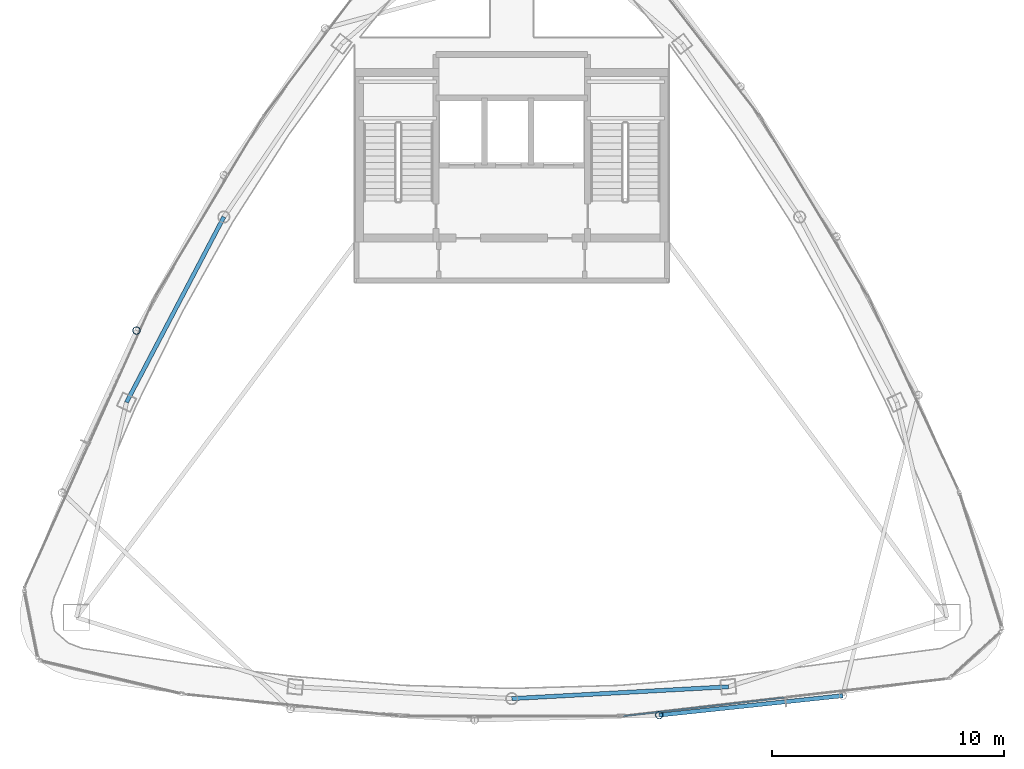
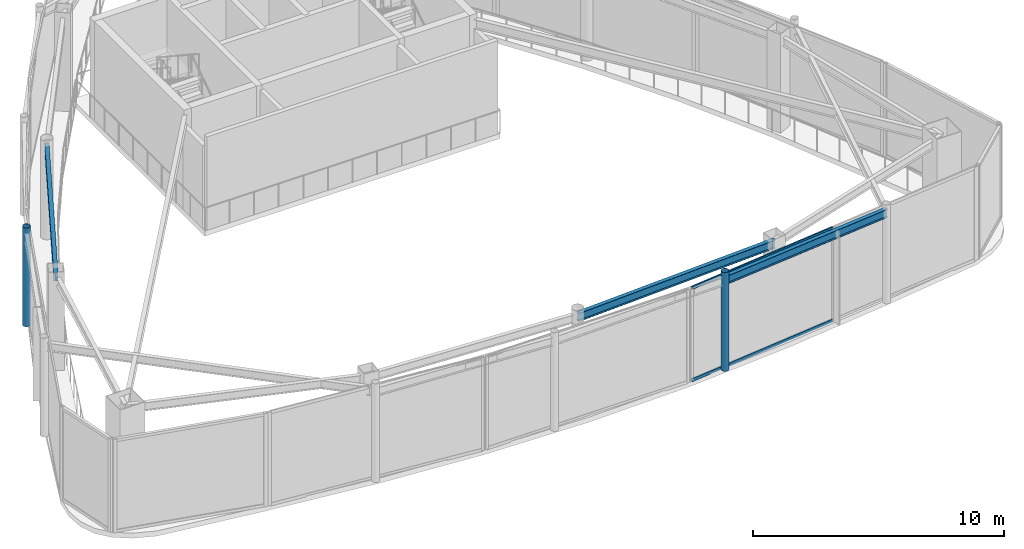
# One storey, part 7 of 19: 4 members, 3 beams, 1 element without a shape of its own.
"""IFC4 building model written with IfcOpenShell, lengths in metres."""

from ifc_helpers import new_model, si_unit, direction, frame, origin, origin_2d, place, context, subcontext, project, spatial, hollow_rectangle, hollow_circle, i_section, extrude, material, layer, layer_set, material_profile, profile_set, type_object, element, aggregate, save


model = new_model("IFC4")

# Units and contexts
model_context = context("Model", 3, precision=1e-05, world=origin(), true_north=direction((0.0, 1.0)))
body_context = subcontext(model_context, "Body", "Model", "MODEL_VIEW")
ifc_project = project(units=[si_unit("LENGTHUNIT", "METRE"), si_unit("AREAUNIT", "SQUARE_METRE"), si_unit("VOLUMEUNIT", "CUBIC_METRE"), si_unit("PLANEANGLEUNIT", "RADIAN"), si_unit("MASSUNIT", "GRAM", prefix="KILO")], contexts=[model_context])

# Site, building, storey
site_placement = place(None, origin())
site = spatial("IfcSite", under=ifc_project, at=site_placement, CompositionType="ELEMENT")
building_placement = place(site_placement, origin())
building = spatial("IfcBuilding", under=site, at=building_placement, Name="Orvanel Arch Residences", CompositionType="ELEMENT")
storey_placement = place(building_placement, frame((0.0, 0.0, 295.699951171875)))
storey = spatial("IfcBuildingStorey", under=building, at=storey_placement, Name="L83", CompositionType="ELEMENT", Elevation=295.699951171875)

# Beams
ifc_material_1 = material(Name="Structural steel AS/NZS 3679.1 Grade 300 (300 MPa)", Category="steel")
ifc_material_profile_1 = material_profile(ifc_material_1, i_section(OverallWidth=0.177978515625, OverallDepth=0.406005859375, WebThickness=0.0078125, FlangeThickness=0.0126953125, at=origin_2d()), Name="410UB59.7")
ifc_profile_set_1 = profile_set([ifc_material_profile_1], Name="Structural steel AS/NZS 3679.1 Grade 300 (300 MPa)")
beam_type_1 = type_object("IfcBeamType", Name="OB-410UB", PredefinedType="SPANDREL", material=ifc_profile_set_1)
beam_1_placement = place(storey_placement, frame((33.0, 6.843994140625, 4.34716796875), z_axis=(0.998510315598, 0.054563262768, 0.0), x_axis=(-0.054563262768, 0.998510315598, 0.0)))
element("IfcBeam", 1, at=beam_1_placement, inside=storey, type_object=beam_type_1, Name="L83 Perimeter Spandrel Beam 04", PredefinedType="SPANDREL", context=body_context, shape_type="SweptSolid", body=[
    extrude(i_section(OverallWidth=0.177978515625, OverallDepth=0.406005859375, WebThickness=0.0078125, FlangeThickness=0.0126953125, at=origin_2d()), origin(), (0.0, 0.0, 1.0), 9.364990234375),
])
beam_2_placement = place(storey_placement, frame((20.569091796875, 27.64111328125, 4.34716796875), z_axis=(-0.465064762793, -0.885276660942, 0.0), x_axis=(0.885276660942, -0.465064762793, 0.0)))
element("IfcBeam", 2, at=beam_2_placement, inside=storey, type_object=beam_type_1, Name="L83 Perimeter Spandrel Beam 12", PredefinedType="SPANDREL", context=body_context, shape_type="SweptSolid", body=[
    extrude(i_section(OverallWidth=0.177978515625, OverallDepth=0.406005859375, WebThickness=0.0078125, FlangeThickness=0.0126953125, at=origin_2d()), origin(), (0.0, 0.0, 1.0), 9.03564453125),
])
ifc_material_profile_2 = material_profile(ifc_material_1, i_section(OverallWidth=0.177978515625, OverallDepth=0.406005859375, WebThickness=0.0078125, FlangeThickness=0.0126953125, at=origin_2d()), Name="410UB59.7")
ifc_profile_set_2 = profile_set([ifc_material_profile_2], Name="Structural steel AS/NZS 3679.1 Grade 300 (300 MPa)")
beam_type_2 = type_object("IfcBeamType", Name="OB-410UB-EXT", PredefinedType="SPANDREL", material=ifc_profile_set_2)
beam_3_placement = place(storey_placement, frame((39.366943359375, 6.131103515625, 4.34716796875), z_axis=(0.994445876363, 0.1052492232, 0.0), x_axis=(-0.1052492232, 0.994445876363, 0.0)))
element("IfcBeam", 3, at=beam_3_placement, inside=storey, type_object=beam_type_2, Name="L83 Outer Perimeter Floor Ring Beam 07", PredefinedType="SPANDREL", context=body_context, shape_type="SweptSolid", body=[
    extrude(i_section(OverallWidth=0.177978515625, OverallDepth=0.406005859375, WebThickness=0.0078125, FlangeThickness=0.0126953125, at=origin_2d()), origin(), (0.0, 0.0, 1.0), 7.97021484375),
])

# Members
ifc_material_2 = material(Name="Structural steel AS/NZS 1163 C350L0 (Grade 350)", Category="steel")
ifc_material_profile_3 = material_profile(ifc_material_2, hollow_circle(Radius=0.162109375, WallThickness=0.0126953125, at=origin_2d()), Name="CHS324x12.7")
ifc_profile_set_3 = profile_set([ifc_material_profile_3], Name="Structural steel AS/NZS 1163 C350L0 (Grade 350)")
member_type_1 = type_object("IfcMemberType", Name="ST-324CHS-EXT", PredefinedType="STRUT", material=ifc_profile_set_3)
for number, where, z_axis, x_axis, name in (
    (4, (16.794921875, 22.73388671875, 0.0), (0.0, 0.0, 1.0), (1.0, 0.0, 0.0), "L83 Outer Perimeter Frame Post 03"),
    (5, (39.366943359375, 6.131103515625, 0.0), (0.0, 0.0, 1.0), (1.0, 0.0, 0.0), "L83 Outer Perimeter Frame Post 07"),
):
    element("IfcMember", number, at=place(storey_placement, frame(where, z_axis=z_axis, x_axis=x_axis)), inside=storey, type_object=member_type_1, Name=name, PredefinedType="STRUT", context=body_context, shape_type="SweptSolid", body=[
        extrude(hollow_circle(Radius=0.162109375, WallThickness=0.0126953125, at=origin_2d()), origin(), (0.0, 0.0, 1.0), 4.800048828125),
    ])

# Curtain wall, members
ifc_material_3 = material(Name="Bronze-anodised aluminium AA6063-T6", Category="aluminium")
ifc_layer = layer(ifc_material_3, 0.2099609375)
ifc_layer_set = layer_set([ifc_layer], Name="Bronze-anodised aluminium AA6063-T6")
curtain_wall_type = type_object("IfcCurtainWallType", Name="CW7-TOP-SYS", PredefinedType="NOTDEFINED", material=ifc_layer_set)
curtain_wall_placement = place(storey_placement, origin())
curtain_wall = element("IfcCurtainWall", 6, at=curtain_wall_placement, inside=storey, type_object=curtain_wall_type, Name="L83 CW7-TOP-SYS Unitised Curtain Wall", PredefinedType="NOTDEFINED")
ifc_material_profile_4 = material_profile(ifc_material_3, hollow_rectangle(XDim=0.06494140625, YDim=0.14990234375, WallThickness=0.00390625, at=origin_2d()), Name="ALU150x65x4")
ifc_profile_set_4 = profile_set([ifc_material_profile_4], Name="Bronze-anodised aluminium AA6063-T6")
member_type_2 = type_object("IfcMemberType", Name="TRN-150x65", PredefinedType="USERDEFINED", material=ifc_profile_set_4)
member_1_placement = place(storey_placement, frame((37.8154296875, 6.088623046875, 0.032470703125), z_axis=(0.993453799179, 0.114234622144, 0.0), x_axis=(-0.114234622144, 0.993453799179, 0.0)))
member_1 = element("IfcMember", 7, at=member_1_placement, type_object=member_type_2, Name="CW-S7 transom 1.1", ObjectType="TRANSOM", PredefinedType="USERDEFINED", context=body_context, shape_type="SweptSolid", body=[
    extrude(hollow_rectangle(XDim=0.06494140625, YDim=0.14990234375, WallThickness=0.00390625, at=origin_2d()), origin(), (0.0, 0.0, 1.0), 6.9951171875),
])
member_2_placement = place(storey_placement, frame((37.8154296875, 6.088623046875, 4.517578125), z_axis=(0.993453799179, 0.114234622144, 0.0), x_axis=(-0.114234622144, 0.993453799179, 0.0)))
member_2 = element("IfcMember", 8, at=member_2_placement, type_object=member_type_2, Name="CW-S7 transom 1.2", ObjectType="TRANSOM", PredefinedType="USERDEFINED", context=body_context, shape_type="SweptSolid", body=[
    extrude(hollow_rectangle(XDim=0.06494140625, YDim=0.14990234375, WallThickness=0.00390625, at=origin_2d()), origin(), (0.0, 0.0, 1.0), 6.9951171875),
])
aggregate(curtain_wall, [member_1, member_2])

save(model, "model.ifc")
